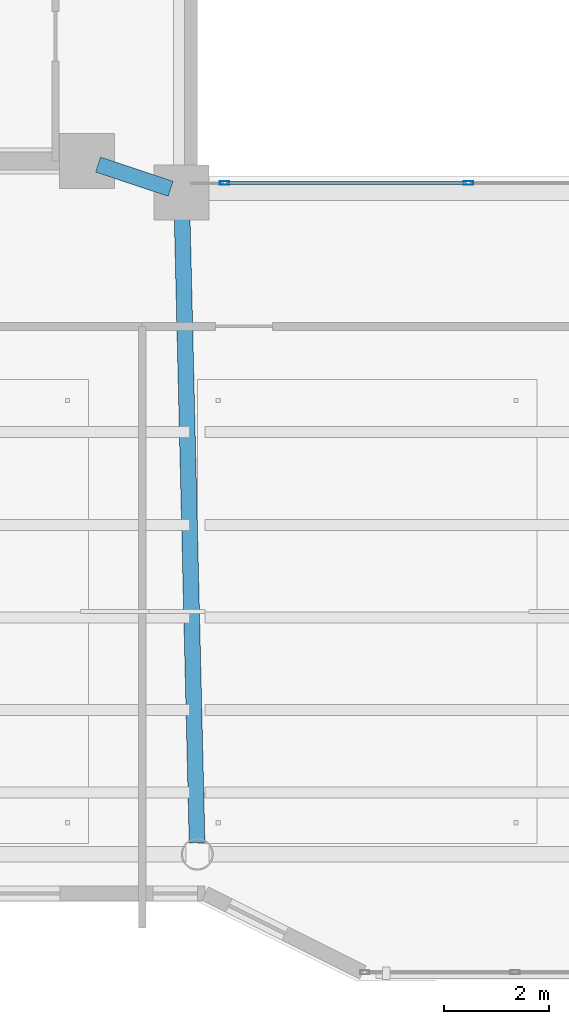
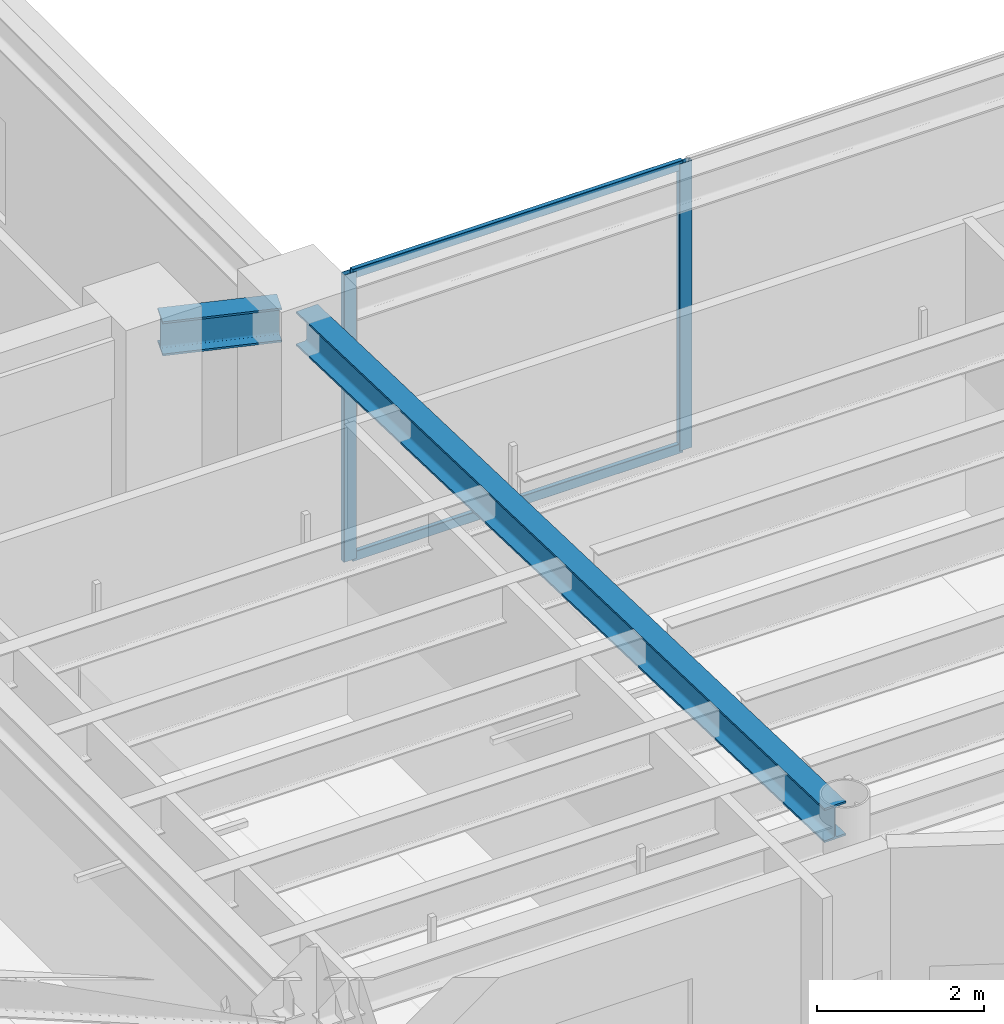
# One storey, part 6 of 33: 4 members, 2 beams, 1 element without a shape of its own.
"""IFC4 building model written with IfcOpenShell, lengths in metres."""

from ifc_helpers import new_model, si_unit, direction, frame, origin, origin_2d, place, context, subcontext, project, spatial, hollow_rectangle, i_section, extrude, material, layer, layer_set, material_profile, profile_set, type_object, element, aggregate, save


model = new_model("IFC4")

# Units and contexts
model_context = context("Model", 3, precision=1e-05, world=origin(), true_north=direction((0.0, 1.0)))
body_context = subcontext(model_context, "Body", "Model", "MODEL_VIEW")
ifc_project = project(units=[si_unit("LENGTHUNIT", "METRE"), si_unit("AREAUNIT", "SQUARE_METRE"), si_unit("VOLUMEUNIT", "CUBIC_METRE"), si_unit("PLANEANGLEUNIT", "RADIAN"), si_unit("MASSUNIT", "GRAM", prefix="KILO")], contexts=[model_context])

# Site, building, storey
site_placement = place(None, origin())
site = spatial("IfcSite", under=ifc_project, at=site_placement, CompositionType="ELEMENT")
building_placement = place(site_placement, origin())
building = spatial("IfcBuilding", under=site, at=building_placement, Name="Tarnavaz Court Tower", CompositionType="ELEMENT")
storey_placement = place(building_placement, frame((0.0, 0.0, 177.300048828125)))
storey = spatial("IfcBuildingStorey", under=building, at=storey_placement, Name="L48", CompositionType="ELEMENT", Elevation=177.300048828125)

# Beams
ifc_material_1 = material(Name="Steel S355", Category="steel")
ifc_material_profile_1 = material_profile(ifc_material_1, i_section(OverallWidth=0.300048828125, OverallDepth=0.5, WebThickness=0.014404296875, FlangeThickness=0.028076171875, FilletRadius=0.027099609375, at=origin_2d()), Name="HEB 500")
ifc_profile_set_1 = profile_set([ifc_material_profile_1], Name="Steel S355")
beam_type = type_object("IfcBeamType", Name="BM-G-HEB500", PredefinedType="USERDEFINED", material=ifc_profile_set_1)
beam_1_placement = place(storey_placement, frame((-9.391357421875, -7.26953125, 3.949951171875), z_axis=(0.948666544706, -0.316278021615, 0.0), x_axis=(0.316278021615, 0.948666544706, 0.0)))
element("IfcBeam", 1, at=beam_1_placement, inside=storey, type_object=beam_type, Name="L48 Beam IN-CW-SI-IW-SW", ObjectType="GIRDER", PredefinedType="USERDEFINED", context=body_context, shape_type="SweptSolid", body=[
    extrude(i_section(OverallWidth=0.300048828125, OverallDepth=0.5, WebThickness=0.014404296875, FlangeThickness=0.028076171875, FilletRadius=0.027099609375, at=origin_2d()), origin(), (0.0, 0.0, 1.0), 1.457275390625),
])
beam_2_placement = place(storey_placement, frame((-7.794921875, -8.02001953125, 3.949951171875), z_axis=(0.023824748444, -0.999716150395, 0.0), x_axis=(0.999716150395, 0.023824748444, 0.0)))
element("IfcBeam", 2, at=beam_2_placement, inside=storey, type_object=beam_type, Name="L48 Beam RG-06", ObjectType="GIRDER", PredefinedType="USERDEFINED", context=body_context, shape_type="SweptSolid", body=[
    extrude(i_section(OverallWidth=0.300048828125, OverallDepth=0.5, WebThickness=0.014404296875, FlangeThickness=0.028076171875, FilletRadius=0.027099609375, at=origin_2d()), origin(), (0.0, 0.0, 1.0), 12.16357421875),
])

# Curtain wall, members
ifc_material_2 = material(Name="Anodised Aluminium 6063-T6 and Solar Low-E Glazing", Category="aluminium")
ifc_layer = layer(ifc_material_2, 0.139892578125)
ifc_layer_set = layer_set([ifc_layer], Name="Anodised Aluminium 6063-T6 and Solar Low-E Glazing")
curtain_wall_type = type_object("IfcCurtainWallType", Name="CW-SYS-04", PredefinedType="NOTDEFINED", material=ifc_layer_set)
curtain_wall_placement = place(storey_placement, origin())
curtain_wall = element("IfcCurtainWall", 3, at=curtain_wall_placement, inside=storey, type_object=curtain_wall_type, Name="L48 Badgir Courtyard Curtain Wall S", PredefinedType="NOTDEFINED")
ifc_material_3 = material(Name="Anodised Aluminium 6063-T6", Category="aluminium")
ifc_material_profile_2 = material_profile(ifc_material_3, hollow_rectangle(XDim=0.074951171875, YDim=0.179931640625, WallThickness=0.0048828125, InnerFilletRadius=0.0048828125, OuterFilletRadius=0.010009765625, at=origin_2d()), Name="ALU RHS 180X75X5")
ifc_profile_set_2 = profile_set([ifc_material_profile_2], Name="Anodised Aluminium 6063-T6")
member_type_1 = type_object("IfcMemberType", Name="CW-MUL-180", PredefinedType="MULLION", material=ifc_profile_set_2)
member_1_placement = place(storey_placement, frame((-6.982421875, -7.6201171875, 0.0), z_axis=(0.0, 0.0, 1.0), x_axis=(0.0, 1.0, 0.0)))
member_1 = element("IfcMember", 4, at=member_1_placement, type_object=member_type_1, Name="CW mullion 1", PredefinedType="MULLION", context=body_context, shape_type="SweptSolid", body=[
    extrude(hollow_rectangle(XDim=0.074951171875, YDim=0.179931640625, WallThickness=0.0048828125, InnerFilletRadius=0.0048828125, OuterFilletRadius=0.010009765625, at=origin_2d()), origin(), (0.0, 0.0, 1.0), 4.199951171875),
])
member_2_placement = place(storey_placement, frame((-2.340087890625, -7.6201171875, 0.0), z_axis=(0.0, 0.0, 1.0), x_axis=(0.0, 1.0, 0.0)))
member_2 = element("IfcMember", 5, at=member_2_placement, type_object=member_type_1, Name="CW mullion 2", PredefinedType="MULLION", context=body_context, shape_type="SweptSolid", body=[
    extrude(hollow_rectangle(XDim=0.074951171875, YDim=0.179931640625, WallThickness=0.0048828125, InnerFilletRadius=0.0048828125, OuterFilletRadius=0.010009765625, at=origin_2d()), origin(), (0.0, 0.0, 1.0), 4.199951171875),
])
ifc_material_profile_3 = material_profile(ifc_material_3, hollow_rectangle(XDim=0.06494140625, YDim=0.139892578125, WallThickness=0.00390625, InnerFilletRadius=0.00390625, OuterFilletRadius=0.008056640625, at=origin_2d()), Name="ALU RHS 140X65X4")
ifc_profile_set_3 = profile_set([ifc_material_profile_3], Name="Anodised Aluminium 6063-T6")
member_type_2 = type_object("IfcMemberType", Name="CW-TRN-140", PredefinedType="USERDEFINED", material=ifc_profile_set_3)
member_3_placement = place(storey_placement, frame((-6.945068359375, -7.6201171875, 0.032470703125), z_axis=(1.0, 0.0, 0.0), x_axis=(0.0, 1.0, 0.0)))
member_3 = element("IfcMember", 6, at=member_3_placement, type_object=member_type_2, Name="CW transom 1.1", ObjectType="TRANSOM", PredefinedType="USERDEFINED", context=body_context, shape_type="SweptSolid", body=[
    extrude(hollow_rectangle(XDim=0.06494140625, YDim=0.139892578125, WallThickness=0.00390625, InnerFilletRadius=0.00390625, OuterFilletRadius=0.008056640625, at=origin_2d()), origin(), (0.0, 0.0, 1.0), 4.567626953125),
])
member_4_placement = place(storey_placement, frame((-6.945068359375, -7.6201171875, 4.16748046875), z_axis=(1.0, 0.0, 0.0), x_axis=(0.0, 1.0, 0.0)))
member_4 = element("IfcMember", 7, at=member_4_placement, type_object=member_type_2, Name="CW transom 1.2", ObjectType="TRANSOM", PredefinedType="USERDEFINED", context=body_context, shape_type="SweptSolid", body=[
    extrude(hollow_rectangle(XDim=0.06494140625, YDim=0.139892578125, WallThickness=0.00390625, InnerFilletRadius=0.00390625, OuterFilletRadius=0.008056640625, at=origin_2d()), origin(), (0.0, 0.0, 1.0), 4.567626953125),
])
aggregate(curtain_wall, [member_1, member_2, member_3, member_4])

save(model, "model.ifc")
